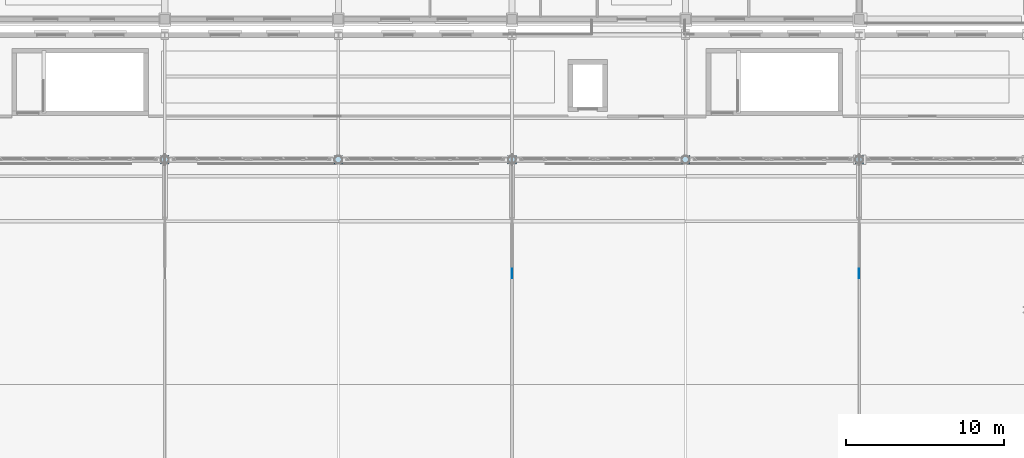
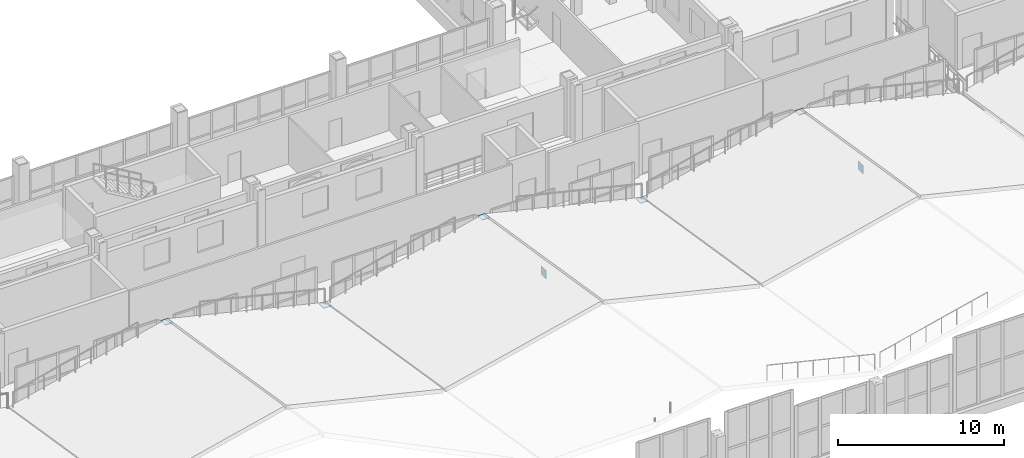
# One storey, part 90 of 120: 7 plates.
"""IFC4 building model written with IfcOpenShell, lengths in metres."""

from ifc_helpers import new_model, si_unit, direction, frame, origin, origin_2d, place, context, subcontext, project, spatial, rectangle, extrude, material, layer, layer_set, type_object, element, save


model = new_model("IFC4")

# Units and contexts
model_context = context("Model", 3, precision=1e-05, world=origin(), true_north=direction((0.0, 1.0)))
body_context = subcontext(model_context, "Body", "Model", "MODEL_VIEW")
ifc_project = project(units=[si_unit("LENGTHUNIT", "METRE"), si_unit("AREAUNIT", "SQUARE_METRE"), si_unit("VOLUMEUNIT", "CUBIC_METRE"), si_unit("PLANEANGLEUNIT", "RADIAN"), si_unit("MASSUNIT", "GRAM", prefix="KILO")], contexts=[model_context])

# Site, building, storey
site_placement = place(None, origin())
site = spatial("IfcSite", under=ifc_project, at=site_placement, CompositionType="ELEMENT")
building_placement = place(site_placement, origin())
building = spatial("IfcBuilding", under=site, at=building_placement, Name="Caurita Quay Ferry Terminal", CompositionType="ELEMENT")
storey_placement = place(building_placement, frame((0.0, 0.0, 9.89990234375)))
storey = spatial("IfcBuildingStorey", under=building, at=storey_placement, Name="L02", CompositionType="ELEMENT", Elevation=9.89990234375)

# Plates
ifc_material = material(Name="Structural plate steel ASTM A572 Gr. 50", Category="steel")
ifc_layer_1 = layer(ifc_material, 0.031982421875, Name="Structural steel connection plate 32 mm")
ifc_layer_set_1 = layer_set([ifc_layer_1], Name="Structural plate steel ASTM A572 Gr. 50")
plate_type_1 = type_object("IfcPlateType", Name="PLT-STL-32", PredefinedType="USERDEFINED", material=ifc_layer_set_1)
for number, where, z_axis, x_axis, name in (
    (1, (33.0, 62.699951171875, 2.9990234375), (0.0, 0.0, 1.0), (1.0, 0.0, 0.0), "Mast Top Cap Plate V1-04-N"),
    (2, (44.0, 62.699951171875, 0.37890625), (0.0, 0.0, 1.0), (1.0, 0.0, 0.0), "Mast Top Cap Plate V1-05-N"),
    (3, (55.0, 62.699951171875, 2.9990234375), (0.0, 0.0, 1.0), (1.0, 0.0, 0.0), "Mast Top Cap Plate V1-06-N"),
    (4, (66.0, 62.699951171875, 0.37890625), (0.0, 0.0, 1.0), (1.0, 0.0, 0.0), "Mast Top Cap Plate V1-07-N"),
    (5, (77.0, 62.699951171875, 2.9990234375), (0.0, 0.0, 1.0), (1.0, 0.0, 0.0), "Mast Top Cap Plate V1-08-N"),
):
    element("IfcPlate", number, at=place(storey_placement, frame(where, z_axis=z_axis, x_axis=x_axis)), inside=storey, type_object=plate_type_1, Name=name, ObjectType="GUSSET PLATE", PredefinedType="USERDEFINED", context=body_context, shape_type="SweptSolid", body=[
        extrude(rectangle(XDim=0.5400390625, YDim=0.5400390625, at=origin_2d()), origin(), (0.0, 0.0, 1.0), 0.031982421875),
    ])
ifc_layer_2 = layer(ifc_material, 0.0400390625, Name="Structural steel connection plate 40 mm")
ifc_layer_set_2 = layer_set([ifc_layer_2], Name="Structural plate steel ASTM A572 Gr. 50")
plate_type_2 = type_object("IfcPlateType", Name="PLT-STL-40", PredefinedType="USERDEFINED", material=ifc_layer_set_2)
for number, where, z_axis, x_axis, name in (
    (6, (55.0, 55.5, 3.010009765625), (0.0, 0.0, 1.0), (1.0, 0.0, 0.0), "Girder Stay-Cable Anchorage Gusset V1-06-N1"),
    (7, (77.0, 55.5, 3.016357421875), (0.0, 0.0, 1.0), (1.0, 0.0, 0.0), "Girder Stay-Cable Anchorage Gusset V1-08-N1"),
):
    element("IfcPlate", number, at=place(storey_placement, frame(where, z_axis=z_axis, x_axis=x_axis)), inside=storey, type_object=plate_type_2, Name=name, ObjectType="GUSSET PLATE", PredefinedType="USERDEFINED", context=body_context, shape_type="SweptSolid", body=[
        extrude(rectangle(XDim=0.0400390625, YDim=0.60009765625, at=origin_2d()), origin(), (0.0, 0.0, 1.0), 0.60009765625),
    ])

save(model, "model.ifc")
